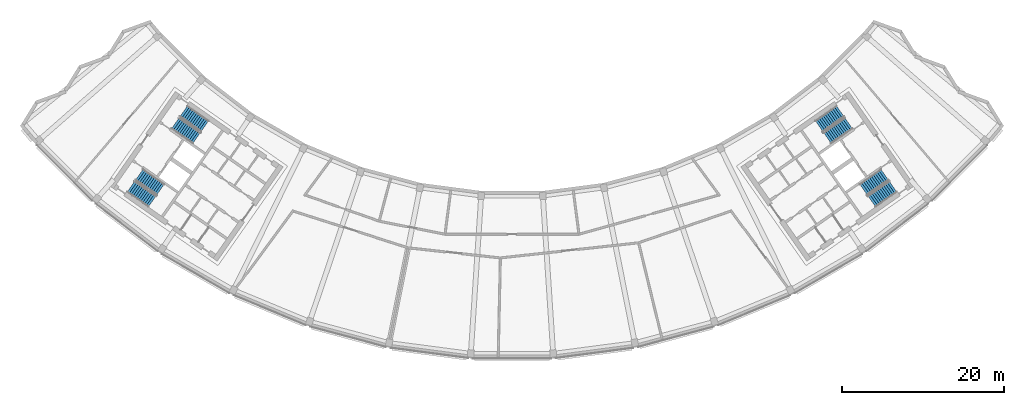
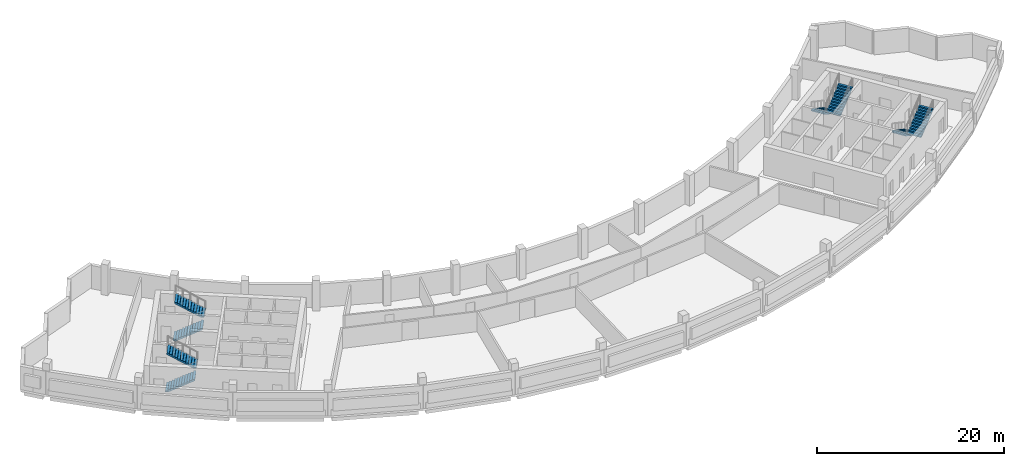
# One storey, part 7 of 11: 8 stair flights, 4 elements without a shape of their own.
"""IFC4 building model written with IfcOpenShell, lengths in metres."""

from ifc_helpers import new_model, si_unit, direction, frame, origin, place, context, subcontext, project, spatial, polyline, outline, extrude, material, type_object, element, aggregate, save


model = new_model("IFC4")

# Units and contexts
model_context = context("Model", 3, precision=1e-05, world=origin(), true_north=direction((0.0, 1.0)))
body_context = subcontext(model_context, "Body", "Model", "MODEL_VIEW")
ifc_project = project(units=[si_unit("LENGTHUNIT", "METRE"), si_unit("AREAUNIT", "SQUARE_METRE"), si_unit("VOLUMEUNIT", "CUBIC_METRE"), si_unit("PLANEANGLEUNIT", "RADIAN"), si_unit("MASSUNIT", "GRAM", prefix="KILO")], contexts=[model_context])

# Site, building, storey
site_placement = place(None, origin())
site = spatial("IfcSite", under=ifc_project, at=site_placement, CompositionType="ELEMENT")
building_placement = place(site_placement, origin())
building = spatial("IfcBuilding", under=site, at=building_placement, Name="Qamariyya Broadcast Tower", CompositionType="ELEMENT")
storey_placement = place(building_placement, frame((0.0, 0.0, 298.699951171875)))
storey = spatial("IfcBuildingStorey", under=building, at=storey_placement, Name="L72", CompositionType="ELEMENT", Elevation=298.699951171875)

# Stair, stair flights
ifc_material = material(Name="Concrete C50/60", Category="concrete")
stair_type = type_object("IfcStairType", Name="Exit stair 24 risers of 167 mm", PredefinedType="HALF_TURN_STAIR", material=ifc_material)
stair_1_placement = place(storey_placement, origin())
stair_1 = element("IfcStair", 1, at=stair_1_placement, inside=storey, type_object=stair_type, Name="L72 Stair W2", PredefinedType="HALF_TURN_STAIR")
stair_flight_type = type_object("IfcStairFlightType", Name="Exit stair flight 12 risers of 167 mm", PredefinedType="STRAIGHT", material=ifc_material)
stair_flight_1_placement = place(storey_placement, frame((-41.59130859375, -49.15966796875, 0.0), z_axis=(0.0, 0.0, 1.0), x_axis=(0.819152044289, -0.573576436351, 0.0)))
stair_flight_1 = element("IfcStairFlight", 2, at=stair_flight_1_placement, type_object=stair_flight_type, Name="ST-W2 flight 1", NumberOfRisers=12, NumberOfTreads=11, PredefinedType="STRAIGHT", RiserHeight=0.166666667, TreadLength=0.29, context=body_context, shape_type="SweptSolid", body=[
    extrude(outline(polyline([(0.0, 0.0), (0.0, 0.166748046875), (0.2900390625, 0.166748046875), (0.2900390625, 0.333251953125), (0.580078125, 0.333251953125), (0.580078125, 0.5), (0.8701171875, 0.5), (0.8701171875, 0.666748046875), (1.159912109375, 0.666748046875), (1.159912109375, 0.833251953125), (1.449951171875, 0.833251953125), (1.449951171875, 1.0), (1.739990234375, 1.0), (1.739990234375, 1.166748046875), (2.030029296875, 1.166748046875), (2.030029296875, 1.333251953125), (2.320068359375, 1.333251953125), (2.320068359375, 1.5), (2.610107421875, 1.5), (2.610107421875, 1.666748046875), (2.89990234375, 1.666748046875), (2.89990234375, 1.833251953125), (3.18994140625, 1.833251953125), (3.18994140625, 2.0), (3.18994140625, 1.660400390625), (0.30078125, 0.0), (0.0, 0.0)])), frame((0.0, 0.824951171875, 0.0), z_axis=(0.0, -1.0, 0.0), x_axis=(1.0, 0.0, 0.0)), (0.0, 0.0, 1.0), 1.64990234375),
])
stair_flight_2_placement = place(storey_placement, frame((-37.945556640625, -49.514892578125, 2.0), z_axis=(0.0, 0.0, 1.0), x_axis=(-0.819152044289, 0.573576436351, 0.0)))
stair_flight_2 = element("IfcStairFlight", 3, at=stair_flight_2_placement, type_object=stair_flight_type, Name="ST-W2 flight 2", NumberOfRisers=12, NumberOfTreads=11, PredefinedType="STRAIGHT", RiserHeight=0.166666667, TreadLength=0.29, context=body_context, shape_type="SweptSolid", body=[
    extrude(outline(polyline([(0.0, 0.0), (0.0, 0.166748046875), (0.2900390625, 0.166748046875), (0.2900390625, 0.333251953125), (0.580078125, 0.333251953125), (0.580078125, 0.5), (0.8701171875, 0.5), (0.8701171875, 0.666748046875), (1.159912109375, 0.666748046875), (1.159912109375, 0.833251953125), (1.449951171875, 0.833251953125), (1.449951171875, 1.0), (1.739990234375, 1.0), (1.739990234375, 1.166748046875), (2.030029296875, 1.166748046875), (2.030029296875, 1.333251953125), (2.320068359375, 1.333251953125), (2.320068359375, 1.5), (2.610107421875, 1.5), (2.610107421875, 1.666748046875), (2.89990234375, 1.666748046875), (2.89990234375, 1.833251953125), (3.18994140625, 1.833251953125), (3.18994140625, 2.0), (3.18994140625, 1.660400390625), (0.30078125, 0.0), (0.0, 0.0)])), frame((0.0, 0.824951171875, 0.0), z_axis=(0.0, -1.0, 0.0), x_axis=(1.0, 0.0, 0.0)), (0.0, 0.0, 1.0), 1.64990234375),
])
aggregate(stair_1, [stair_flight_1, stair_flight_2])

stair_2_placement = place(storey_placement, origin())
stair_2 = element("IfcStair", 4, at=stair_2_placement, inside=storey, type_object=stair_type, Name="L72 Stair W1", PredefinedType="HALF_TURN_STAIR")
stair_flight_3_placement = place(storey_placement, frame((-47.06884765625, -56.982666015625, 0.0), z_axis=(0.0, 0.0, 1.0), x_axis=(0.819152044289, -0.573576436351, 0.0)))
stair_flight_3 = element("IfcStairFlight", 5, at=stair_flight_3_placement, type_object=stair_flight_type, Name="ST-W1 flight 1", NumberOfRisers=12, NumberOfTreads=11, PredefinedType="STRAIGHT", RiserHeight=0.166666667, TreadLength=0.29, context=body_context, shape_type="SweptSolid", body=[
    extrude(outline(polyline([(0.0, 0.0), (0.0, 0.166748046875), (0.2900390625, 0.166748046875), (0.2900390625, 0.333251953125), (0.580078125, 0.333251953125), (0.580078125, 0.5), (0.8701171875, 0.5), (0.8701171875, 0.666748046875), (1.159912109375, 0.666748046875), (1.159912109375, 0.833251953125), (1.449951171875, 0.833251953125), (1.449951171875, 1.0), (1.739990234375, 1.0), (1.739990234375, 1.166748046875), (2.030029296875, 1.166748046875), (2.030029296875, 1.333251953125), (2.320068359375, 1.333251953125), (2.320068359375, 1.5), (2.610107421875, 1.5), (2.610107421875, 1.666748046875), (2.89990234375, 1.666748046875), (2.89990234375, 1.833251953125), (3.18994140625, 1.833251953125), (3.18994140625, 2.0), (3.18994140625, 1.660400390625), (0.30078125, 0.0), (0.0, 0.0)])), frame((0.0, 0.824951171875, 0.0), z_axis=(0.0, -1.0, 0.0), x_axis=(1.0, 0.0, 0.0)), (0.0, 0.0, 1.0), 1.64990234375),
])
stair_flight_4_placement = place(storey_placement, frame((-43.42333984375, -57.337890625, 2.0), z_axis=(0.0, 0.0, 1.0), x_axis=(-0.819152044289, 0.573576436351, 0.0)))
stair_flight_4 = element("IfcStairFlight", 6, at=stair_flight_4_placement, type_object=stair_flight_type, Name="ST-W1 flight 2", NumberOfRisers=12, NumberOfTreads=11, PredefinedType="STRAIGHT", RiserHeight=0.166666667, TreadLength=0.29, context=body_context, shape_type="SweptSolid", body=[
    extrude(outline(polyline([(0.0, 0.0), (0.0, 0.166748046875), (0.2900390625, 0.166748046875), (0.2900390625, 0.333251953125), (0.580078125, 0.333251953125), (0.580078125, 0.5), (0.8701171875, 0.5), (0.8701171875, 0.666748046875), (1.159912109375, 0.666748046875), (1.159912109375, 0.833251953125), (1.449951171875, 0.833251953125), (1.449951171875, 1.0), (1.739990234375, 1.0), (1.739990234375, 1.166748046875), (2.030029296875, 1.166748046875), (2.030029296875, 1.333251953125), (2.320068359375, 1.333251953125), (2.320068359375, 1.5), (2.610107421875, 1.5), (2.610107421875, 1.666748046875), (2.89990234375, 1.666748046875), (2.89990234375, 1.833251953125), (3.18994140625, 1.833251953125), (3.18994140625, 2.0), (3.18994140625, 1.660400390625), (0.30078125, 0.0), (0.0, 0.0)])), frame((0.0, 0.824951171875, 0.0), z_axis=(0.0, -1.0, 0.0), x_axis=(1.0, 0.0, 0.0)), (0.0, 0.0, 1.0), 1.64990234375),
])
aggregate(stair_2, [stair_flight_3, stair_flight_4])

stair_3_placement = place(storey_placement, origin())
stair_3 = element("IfcStair", 7, at=stair_3_placement, inside=storey, type_object=stair_type, Name="L72 Stair E2", PredefinedType="HALF_TURN_STAIR")
stair_flight_5_placement = place(storey_placement, frame((40.558837890625, -47.685302734375, 0.0), z_axis=(0.0, 0.0, 1.0), x_axis=(-0.819152044289, -0.573576436351, 0.0)))
stair_flight_5 = element("IfcStairFlight", 8, at=stair_flight_5_placement, type_object=stair_flight_type, Name="ST-E2 flight 1", NumberOfRisers=12, NumberOfTreads=11, PredefinedType="STRAIGHT", RiserHeight=0.166666667, TreadLength=0.29, context=body_context, shape_type="SweptSolid", body=[
    extrude(outline(polyline([(0.0, 0.0), (0.0, 0.166748046875), (0.2900390625, 0.166748046875), (0.2900390625, 0.333251953125), (0.580078125, 0.333251953125), (0.580078125, 0.5), (0.8701171875, 0.5), (0.8701171875, 0.666748046875), (1.159912109375, 0.666748046875), (1.159912109375, 0.833251953125), (1.449951171875, 0.833251953125), (1.449951171875, 1.0), (1.739990234375, 1.0), (1.739990234375, 1.166748046875), (2.030029296875, 1.166748046875), (2.030029296875, 1.333251953125), (2.320068359375, 1.333251953125), (2.320068359375, 1.5), (2.610107421875, 1.5), (2.610107421875, 1.666748046875), (2.89990234375, 1.666748046875), (2.89990234375, 1.833251953125), (3.18994140625, 1.833251953125), (3.18994140625, 2.0), (3.18994140625, 1.660400390625), (0.30078125, 0.0), (0.0, 0.0)])), frame((0.0, 0.824951171875, 0.0), z_axis=(0.0, -1.0, 0.0), x_axis=(1.0, 0.0, 0.0)), (0.0, 0.0, 1.0), 1.64990234375),
])
stair_flight_6_placement = place(storey_placement, frame((38.97802734375, -50.989501953125, 2.0), z_axis=(0.0, 0.0, 1.0), x_axis=(0.819152044289, 0.573576436351, 0.0)))
stair_flight_6 = element("IfcStairFlight", 9, at=stair_flight_6_placement, type_object=stair_flight_type, Name="ST-E2 flight 2", NumberOfRisers=12, NumberOfTreads=11, PredefinedType="STRAIGHT", RiserHeight=0.166666667, TreadLength=0.29, context=body_context, shape_type="SweptSolid", body=[
    extrude(outline(polyline([(0.0, 0.0), (0.0, 0.166748046875), (0.2900390625, 0.166748046875), (0.2900390625, 0.333251953125), (0.580078125, 0.333251953125), (0.580078125, 0.5), (0.8701171875, 0.5), (0.8701171875, 0.666748046875), (1.159912109375, 0.666748046875), (1.159912109375, 0.833251953125), (1.449951171875, 0.833251953125), (1.449951171875, 1.0), (1.739990234375, 1.0), (1.739990234375, 1.166748046875), (2.030029296875, 1.166748046875), (2.030029296875, 1.333251953125), (2.320068359375, 1.333251953125), (2.320068359375, 1.5), (2.610107421875, 1.5), (2.610107421875, 1.666748046875), (2.89990234375, 1.666748046875), (2.89990234375, 1.833251953125), (3.18994140625, 1.833251953125), (3.18994140625, 2.0), (3.18994140625, 1.660400390625), (0.30078125, 0.0), (0.0, 0.0)])), frame((0.0, 0.824951171875, 0.0), z_axis=(0.0, -1.0, 0.0), x_axis=(1.0, 0.0, 0.0)), (0.0, 0.0, 1.0), 1.64990234375),
])
aggregate(stair_3, [stair_flight_5, stair_flight_6])

stair_4_placement = place(storey_placement, origin())
stair_4 = element("IfcStair", 10, at=stair_4_placement, inside=storey, type_object=stair_type, Name="L72 Stair E1", PredefinedType="HALF_TURN_STAIR")
stair_flight_7_placement = place(storey_placement, frame((46.036376953125, -55.508056640625, 0.0), z_axis=(0.0, 0.0, 1.0), x_axis=(-0.819152044289, -0.573576436351, 0.0)))
stair_flight_7 = element("IfcStairFlight", 11, at=stair_flight_7_placement, type_object=stair_flight_type, Name="ST-E1 flight 1", NumberOfRisers=12, NumberOfTreads=11, PredefinedType="STRAIGHT", RiserHeight=0.166666667, TreadLength=0.29, context=body_context, shape_type="SweptSolid", body=[
    extrude(outline(polyline([(0.0, 0.0), (0.0, 0.166748046875), (0.2900390625, 0.166748046875), (0.2900390625, 0.333251953125), (0.580078125, 0.333251953125), (0.580078125, 0.5), (0.8701171875, 0.5), (0.8701171875, 0.666748046875), (1.159912109375, 0.666748046875), (1.159912109375, 0.833251953125), (1.449951171875, 0.833251953125), (1.449951171875, 1.0), (1.739990234375, 1.0), (1.739990234375, 1.166748046875), (2.030029296875, 1.166748046875), (2.030029296875, 1.333251953125), (2.320068359375, 1.333251953125), (2.320068359375, 1.5), (2.610107421875, 1.5), (2.610107421875, 1.666748046875), (2.89990234375, 1.666748046875), (2.89990234375, 1.833251953125), (3.18994140625, 1.833251953125), (3.18994140625, 2.0), (3.18994140625, 1.660400390625), (0.30078125, 0.0), (0.0, 0.0)])), frame((0.0, 0.824951171875, 0.0), z_axis=(0.0, -1.0, 0.0), x_axis=(1.0, 0.0, 0.0)), (0.0, 0.0, 1.0), 1.64990234375),
])
stair_flight_8_placement = place(storey_placement, frame((44.455810546875, -58.812255859375, 2.0), z_axis=(0.0, 0.0, 1.0), x_axis=(0.819152044289, 0.573576436351, 0.0)))
stair_flight_8 = element("IfcStairFlight", 12, at=stair_flight_8_placement, type_object=stair_flight_type, Name="ST-E1 flight 2", NumberOfRisers=12, NumberOfTreads=11, PredefinedType="STRAIGHT", RiserHeight=0.166666667, TreadLength=0.29, context=body_context, shape_type="SweptSolid", body=[
    extrude(outline(polyline([(0.0, 0.0), (0.0, 0.166748046875), (0.2900390625, 0.166748046875), (0.2900390625, 0.333251953125), (0.580078125, 0.333251953125), (0.580078125, 0.5), (0.8701171875, 0.5), (0.8701171875, 0.666748046875), (1.159912109375, 0.666748046875), (1.159912109375, 0.833251953125), (1.449951171875, 0.833251953125), (1.449951171875, 1.0), (1.739990234375, 1.0), (1.739990234375, 1.166748046875), (2.030029296875, 1.166748046875), (2.030029296875, 1.333251953125), (2.320068359375, 1.333251953125), (2.320068359375, 1.5), (2.610107421875, 1.5), (2.610107421875, 1.666748046875), (2.89990234375, 1.666748046875), (2.89990234375, 1.833251953125), (3.18994140625, 1.833251953125), (3.18994140625, 2.0), (3.18994140625, 1.660400390625), (0.30078125, 0.0), (0.0, 0.0)])), frame((0.0, 0.824951171875, 0.0), z_axis=(0.0, -1.0, 0.0), x_axis=(1.0, 0.0, 0.0)), (0.0, 0.0, 1.0), 1.64990234375),
])
aggregate(stair_4, [stair_flight_7, stair_flight_8])

save(model, "model.ifc")
